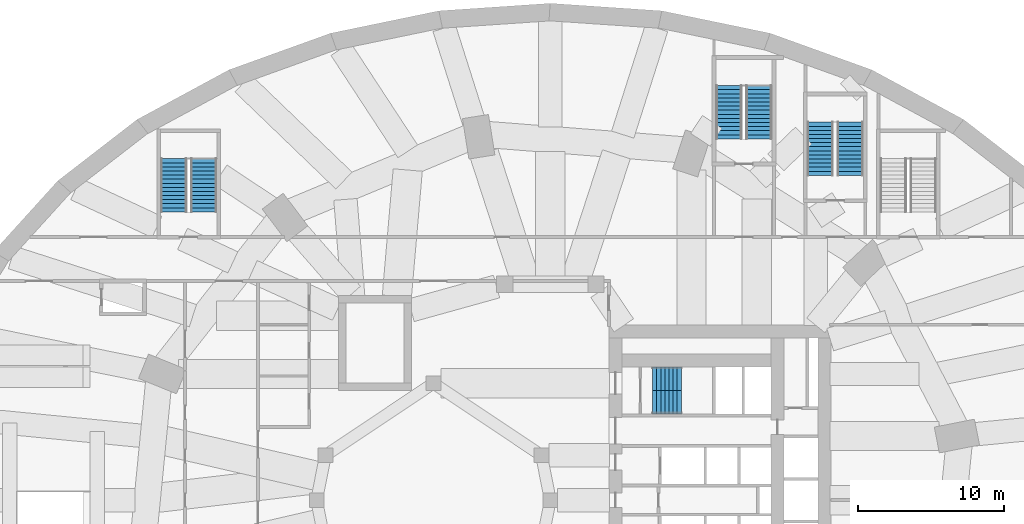
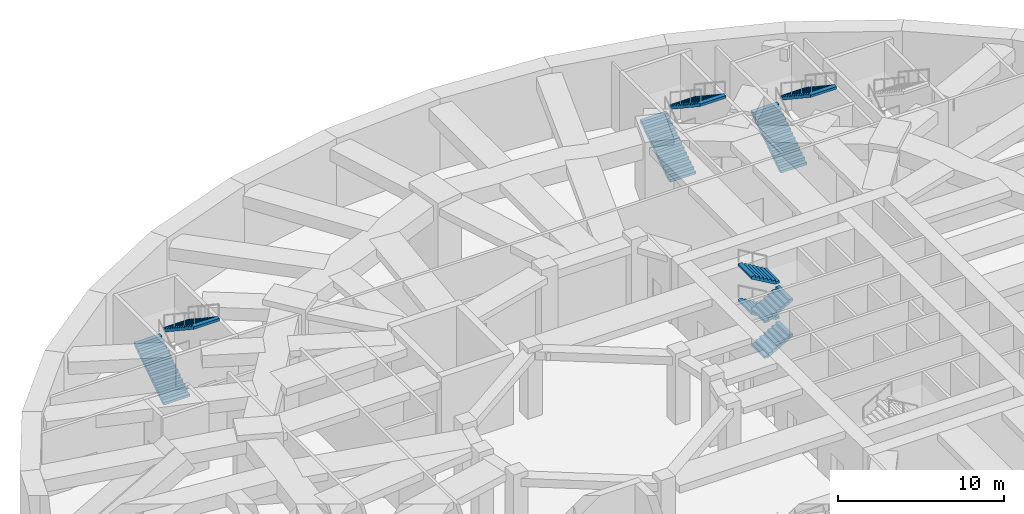
# One storey, part 10 of 14: 10 stair flights, 4 elements without a shape of their own.
"""IFC4 building model written with IfcOpenShell, lengths in metres."""

import ifcopenshell
import ifcopenshell.guid

model = None  # the IFC model being written
_history = None  # IfcOwnerHistory: only IFC2X3 demands one
_inside = {}  # id of a spatial element -> (the spatial element, [elements in it])
_under = {}  # id of a project, library or spatial element -> (it, [spatial elements below it])
_declared = {}  # id of a project -> (the project, [libraries it declares])
_typed = {}  # id of a type object -> (the type object, [elements of that type])
_made_of = {}  # id of a material, layer set ... -> (it, [elements and type objects made of it])


def new_model(schema):
    """Start an empty IFC model of exactly this schema.

    Asked for "IFC4X3", IfcOpenShell would pick the latest addendum, in which some entities
    have other attributes; the version numbers below select the first issue.
    IFC2X3 requires an IfcOwnerHistory on every rooted entity: one is made here for all.
    """
    global model, _history
    if schema == "IFC4X3":
        model = ifcopenshell.file(schema_version=(4, 3, 0, 0))
    else:
        model = ifcopenshell.file(schema=schema)
    _inside.clear()
    _under.clear()
    _declared.clear()
    _typed.clear()
    _made_of.clear()
    _history = None
    if model.schema == "IFC2X3":
        org = make("IfcOrganization", Name="unknown")
        user = make(
            "IfcPersonAndOrganization",
            ThePerson=make("IfcPerson", FamilyName="unknown"),
            TheOrganization=org,
        )
        app = make(
            "IfcApplication",
            ApplicationDeveloper=org,
            Version="unknown",
            ApplicationFullName="unknown",
            ApplicationIdentifier="unknown",
        )
        _history = make(
            "IfcOwnerHistory",
            OwningUser=user,
            OwningApplication=app,
            ChangeAction="ADDED",
            CreationDate=0,
        )
    return model


def make(cls, **values):
    """One entity of the class cls with the attributes given. An attribute that is None is left unset."""
    return model.create_entity(
        cls, **{name: value for name, value in values.items() if value is not None}
    )


def rooted(cls, **values):
    """An entity with a GlobalId (a new one), such as an element, a storey or a relation."""
    return make(cls, GlobalId=ifcopenshell.guid.new(), OwnerHistory=_history, **values)


def si_unit(unit_type, name, prefix=None):
    """IfcSIUnit, for example si_unit("LENGTHUNIT", "METRE", prefix="MILLI")."""
    return make("IfcSIUnit", UnitType=unit_type, Prefix=prefix, Name=name)


def assignment(units):
    """IfcUnitAssignment: the units of a project."""
    return None if units is None else make("IfcUnitAssignment", Units=units)


def point(xyz):
    """IfcCartesianPoint."""
    return None if xyz is None else make("IfcCartesianPoint", Coordinates=xyz)


def direction(xyz):
    """IfcDirection."""
    return None if xyz is None else make("IfcDirection", DirectionRatios=xyz)


def frame(location, z_axis=None, x_axis=None):
    """IfcAxis2Placement3D, a coordinate frame: its origin and axes. An axis left out is left unset."""
    return make(
        "IfcAxis2Placement3D",
        Location=point(location),
        Axis=direction(z_axis),
        RefDirection=direction(x_axis),
    )


def origin():
    """The frame at (0, 0, 0) with its axes left unset."""
    return frame((0.0, 0.0, 0.0))


def place(relative_to, where):
    """IfcLocalPlacement: puts the frame where relative to a parent placement (None: the world)."""
    return make(
        "IfcLocalPlacement", PlacementRelTo=relative_to, RelativePlacement=where
    )


def context(
    kind, dimensions, precision=None, world=None, true_north=None, identifier=None
):
    """IfcGeometricRepresentationContext, for example the 3D "Model" context."""
    return make(
        "IfcGeometricRepresentationContext",
        ContextIdentifier=identifier,
        ContextType=kind,
        CoordinateSpaceDimension=dimensions,
        Precision=precision,
        WorldCoordinateSystem=world,
        TrueNorth=true_north,
    )


def subcontext(parent, identifier, kind, view, scale=None):
    """IfcGeometricRepresentationSubContext, for example "Body" below "Model"."""
    return make(
        "IfcGeometricRepresentationSubContext",
        ContextIdentifier=identifier,
        ContextType=kind,
        ParentContext=parent,
        TargetScale=scale,
        TargetView=view,
    )


def project(units=None, contexts=None):
    """IfcProject with its units and contexts."""
    return rooted(
        "IfcProject",
        Name="project",
        RepresentationContexts=contexts,
        UnitsInContext=assignment(units),
    )


def spatial(cls, under=None, at=None, **own):
    """A site, building, storey or space (cls), placed at a placement, below another one or the project."""
    s = rooted(cls, ObjectPlacement=at, **own)
    if under is not None:
        _under.setdefault(under.id(), (under, []))[1].append(s)
    return s


def polyline(points):
    """IfcPolyline through the points."""
    return make("IfcPolyline", Points=[point(p) for p in points])


def outline(outer, holes=None, kind="AREA"):
    """IfcArbitraryClosedProfileDef: a profile drawn as a closed curve; with holes, ...WithVoids."""
    if holes is None:
        return make("IfcArbitraryClosedProfileDef", ProfileType=kind, OuterCurve=outer)
    return make(
        "IfcArbitraryProfileDefWithVoids",
        ProfileType=kind,
        OuterCurve=outer,
        InnerCurves=holes,
    )


def extrude(swept, where, along, depth):
    """IfcExtrudedAreaSolid: the profile swept, set in the frame where, extruded along a direction by depth."""
    return make(
        "IfcExtrudedAreaSolid",
        SweptArea=swept,
        Position=where,
        ExtrudedDirection=direction(along),
        Depth=depth,
    )


def shape(context_of_items, identifier, shape_type, items):
    """IfcShapeRepresentation: the items that make up one representation, for example the "Body"."""
    return make(
        "IfcShapeRepresentation",
        ContextOfItems=context_of_items,
        RepresentationIdentifier=identifier,
        RepresentationType=shape_type,
        Items=items,
    )


def material(Name=None, Category=None):
    """IfcMaterial."""
    return make("IfcMaterial", Name=Name, Category=Category)


def made_of(thing, what):
    """Note that an element or type object is made of a material, layer set ...; save() writes the relation."""
    if what is not None:
        _made_of.setdefault(what.id(), (what, []))[1].append(thing)
    return thing


def type_object(cls, material=None, **own):
    """A type object (cls), such as IfcWallType, which elements share."""
    return made_of(rooted(cls, **own), material)


def element(
    cls,
    number,
    at=None,
    inside=None,
    cuts=None,
    type_object=None,
    material=None,
    context=None,
    identifier="Body",
    shape_type=None,
    held_by="IfcProductDefinitionShape",
    body=None,
    shapes=None,
    **own,
):
    """One element of the class cls, such as IfcWall. Its Tag is "e" and its number.

    at: its placement. inside: the storey or other place that contains it. cuts: it is an
    opening in that element (IfcRelVoidsElement). A single representation is given by context,
    identifier, shape_type and body (its items); several are given by shapes. held_by: the class
    of the entity that holds the representations. save() writes the other relations.
    """
    e = rooted(cls, Tag="e%d" % number, ObjectPlacement=at, **own)
    if body is not None:
        shapes = [shape(context, identifier, shape_type, body)]
    if shapes is not None:
        e.Representation = make(held_by, Representations=shapes)
    if inside is not None:
        _inside.setdefault(inside.id(), (inside, []))[1].append(e)
    if cuts is not None:
        rooted(
            "IfcRelVoidsElement", RelatingBuildingElement=cuts, RelatedOpeningElement=e
        )
    if type_object is not None:
        _typed.setdefault(type_object.id(), (type_object, []))[1].append(e)
    return made_of(e, material)


def aggregate(whole, parts):
    """IfcRelAggregates: a whole, such as a stair, and the parts it consists of."""
    return rooted("IfcRelAggregates", RelatingObject=whole, RelatedObjects=parts)


def save(model, path):
    """Write the relations noted so far, then the file.

    IfcRelAggregates (storeys below a building ...), IfcRelContainedInSpatialStructure (elements
    in a storey), IfcRelDefinesByType, IfcRelAssociatesMaterial and IfcRelDeclares: one each for
    every whole, place, type object, material and project.
    """
    for whole, parts in _under.values():
        aggregate(whole, parts)
    for where, things in _inside.values():
        rooted(
            "IfcRelContainedInSpatialStructure",
            RelatedElements=things,
            RelatingStructure=where,
        )
    for kind, things in _typed.values():
        rooted("IfcRelDefinesByType", RelatedObjects=things, RelatingType=kind)
    for what, things in _made_of.values():
        rooted("IfcRelAssociatesMaterial", RelatedObjects=things, RelatingMaterial=what)
    for by, libraries in _declared.values():
        rooted("IfcRelDeclares", RelatingContext=by, RelatedDefinitions=libraries)
    model.write(path)


model = new_model("IFC4")

# Units and contexts
model_context = context("Model", 3, precision=1e-05, world=origin(), true_north=direction((0.0, 1.0)))
body_context = subcontext(model_context, "Body", "Model", "MODEL_VIEW")
ifc_project = project(units=[si_unit("LENGTHUNIT", "METRE"), si_unit("AREAUNIT", "SQUARE_METRE"), si_unit("VOLUMEUNIT", "CUBIC_METRE"), si_unit("PLANEANGLEUNIT", "RADIAN"), si_unit("MASSUNIT", "GRAM", prefix="KILO")], contexts=[model_context])

# Site, building, storey
site_placement = place(None, origin())
site = spatial("IfcSite", under=ifc_project, at=site_placement, CompositionType="ELEMENT")
building_placement = place(site_placement, origin())
building = spatial("IfcBuilding", under=site, at=building_placement, Name="Taillehof Tower", CompositionType="ELEMENT")
storey_placement = place(building_placement, frame((0.0, 0.0, -5.199951171875)))
storey = spatial("IfcBuildingStorey", under=building, at=storey_placement, Name="B1", CompositionType="ELEMENT", Elevation=-5.199951171875)

# Stair, stair flights
ifc_material_1 = material(Name="Concrete C40/50", Category="concrete")
stair_type_1 = type_object("IfcStairType", Name="Exit stair half-turn", PredefinedType="HALF_TURN_STAIR", material=ifc_material_1)
stair_1_placement = place(storey_placement, origin())
stair_1 = element("IfcStair", 1, at=stair_1_placement, inside=storey, type_object=stair_type_1, Name="Exit stair S1", PredefinedType="HALF_TURN_STAIR")
ifc_material_2 = material(Name="Concrete C40/50", Category="concrete")
stair_flight_type_1 = type_object("IfcStairFlightType", Name="Stair flight 1600 riser 162.5 going 280", PredefinedType="STRAIGHT", material=ifc_material_2)
stair_flight_1_placement = place(storey_placement, frame((7.0, 6.699951171875, 0.0), z_axis=(0.0, 0.0, 1.0), x_axis=(1.0, 0.0, 0.0)))
stair_flight_1 = element("IfcStairFlight", 2, at=stair_flight_1_placement, type_object=stair_flight_type_1, Name="S1 flight 1", NumberOfRisers=8, NumberOfTreads=7, PredefinedType="STRAIGHT", RiserHeight=0.1625, TreadLength=0.28, context=body_context, shape_type="SweptSolid", body=[
    extrude(outline(polyline([(0.0, 0.0), (0.0, 0.006591796875), (0.0, 0.012939453125), (0.0, 0.01953125), (0.0, 0.02587890625), (0.0, 0.032470703125), (0.0, 0.0390625), (0.0, 0.04541015625), (0.0, 0.052001953125), (0.0, 0.05859375), (0.0, 0.06494140625), (0.0, 0.071533203125), (0.0, 0.077880859375), (0.0, 0.08447265625), (0.0, 0.091064453125), (0.0, 0.097412109375), (0.0, 0.10400390625), (0.0, 0.110595703125), (0.0, 0.116943359375), (0.0, 0.12353515625), (0.0, 0.1298828125), (0.0, 0.136474609375), (0.0, 0.14306640625), (0.0, 0.1494140625), (0.0, 0.156005859375), (0.0, 0.16259765625), (0.280029296875, 0.16259765625), (0.280029296875, 0.324951171875), (0.56005859375, 0.324951171875), (0.56005859375, 0.487548828125), (0.840087890625, 0.487548828125), (0.840087890625, 0.64990234375), (1.1201171875, 0.64990234375), (1.1201171875, 0.8125), (1.39990234375, 0.8125), (1.39990234375, 0.97509765625), (1.679931640625, 0.97509765625), (1.679931640625, 1.137451171875), (1.9599609375, 1.137451171875), (1.9599609375, 1.130615234375), (1.9599609375, 1.12353515625), (1.9599609375, 1.11669921875), (1.9599609375, 1.10986328125), (1.9599609375, 1.102783203125), (1.9599609375, 1.095947265625), (1.9599609375, 1.0888671875), (1.9599609375, 1.08203125), (1.9599609375, 1.0751953125), (1.9599609375, 1.068115234375), (1.9599609375, 1.061279296875), (1.9599609375, 1.05419921875), (1.9599609375, 1.04736328125), (1.9599609375, 1.04052734375), (1.9599609375, 1.033447265625), (1.9599609375, 1.026611328125), (1.9599609375, 1.01953125), (1.9599609375, 1.0126953125), (1.9599609375, 1.005859375), (1.9599609375, 0.998779296875), (1.9599609375, 0.991943359375), (1.9599609375, 0.98486328125), (1.9599609375, 0.97802734375), (1.9599609375, 0.97119140625), (1.9599609375, 0.964111328125), (0.298583984375, 0.0), (0.0, 0.0)])), frame((0.0, 0.800048828125, 0.0), z_axis=(0.0, -1.0, 0.0), x_axis=(1.0, 0.0, 0.0)), (0.0, 0.0, 1.0), 1.6),
])
stair_flight_2_placement = place(storey_placement, frame((8.9599609375, 8.300048828125, 1.300048828125), z_axis=(0.0, 0.0, 1.0), x_axis=(-1.0, 0.0, 0.0)))
stair_flight_2 = element("IfcStairFlight", 3, at=stair_flight_2_placement, type_object=stair_flight_type_1, Name="S1 flight 2", NumberOfRisers=8, NumberOfTreads=7, PredefinedType="STRAIGHT", RiserHeight=0.1625, TreadLength=0.28, context=body_context, shape_type="SweptSolid", body=[
    extrude(outline(polyline([(0.0, 0.0), (0.0, 0.006591796875), (0.0, 0.012939453125), (0.0, 0.01953125), (0.0, 0.02587890625), (0.0, 0.032470703125), (0.0, 0.0390625), (0.0, 0.04541015625), (0.0, 0.052001953125), (0.0, 0.05859375), (0.0, 0.06494140625), (0.0, 0.071533203125), (0.0, 0.077880859375), (0.0, 0.08447265625), (0.0, 0.091064453125), (0.0, 0.097412109375), (0.0, 0.10400390625), (0.0, 0.110595703125), (0.0, 0.116943359375), (0.0, 0.12353515625), (0.0, 0.1298828125), (0.0, 0.136474609375), (0.0, 0.14306640625), (0.0, 0.1494140625), (0.0, 0.156005859375), (0.0, 0.16259765625), (0.280029296875, 0.16259765625), (0.280029296875, 0.324951171875), (0.56005859375, 0.324951171875), (0.56005859375, 0.487548828125), (0.840087890625, 0.487548828125), (0.840087890625, 0.64990234375), (1.1201171875, 0.64990234375), (1.1201171875, 0.8125), (1.39990234375, 0.8125), (1.39990234375, 0.97509765625), (1.679931640625, 0.97509765625), (1.679931640625, 1.137451171875), (1.9599609375, 1.137451171875), (1.9599609375, 1.130615234375), (1.9599609375, 1.12353515625), (1.9599609375, 1.11669921875), (1.9599609375, 1.10986328125), (1.9599609375, 1.102783203125), (1.9599609375, 1.095947265625), (1.9599609375, 1.0888671875), (1.9599609375, 1.08203125), (1.9599609375, 1.0751953125), (1.9599609375, 1.068115234375), (1.9599609375, 1.061279296875), (1.9599609375, 1.05419921875), (1.9599609375, 1.04736328125), (1.9599609375, 1.04052734375), (1.9599609375, 1.033447265625), (1.9599609375, 1.026611328125), (1.9599609375, 1.01953125), (1.9599609375, 1.0126953125), (1.9599609375, 1.005859375), (1.9599609375, 0.998779296875), (1.9599609375, 0.991943359375), (1.9599609375, 0.98486328125), (1.9599609375, 0.97802734375), (1.9599609375, 0.97119140625), (1.9599609375, 0.964111328125), (0.298583984375, 0.0), (0.0, 0.0)])), frame((0.0, 0.800048828125, 0.0), z_axis=(0.0, -1.0, 0.0), x_axis=(1.0, 0.0, 0.0)), (0.0, 0.0, 1.0), 1.6),
])
stair_flight_3_placement = place(storey_placement, frame((7.0, 6.699951171875, 2.599853515625), z_axis=(0.0, 0.0, 1.0), x_axis=(1.0, 0.0, 0.0)))
stair_flight_3 = element("IfcStairFlight", 4, at=stair_flight_3_placement, type_object=stair_flight_type_1, Name="S1 flight 3", NumberOfRisers=8, NumberOfTreads=7, PredefinedType="STRAIGHT", RiserHeight=0.1625, TreadLength=0.28, context=body_context, shape_type="SweptSolid", body=[
    extrude(outline(polyline([(0.0, 0.0), (0.0, 0.006591796875), (0.0, 0.012939453125), (0.0, 0.01953125), (0.0, 0.02587890625), (0.0, 0.032470703125), (0.0, 0.0390625), (0.0, 0.04541015625), (0.0, 0.052001953125), (0.0, 0.05859375), (0.0, 0.06494140625), (0.0, 0.071533203125), (0.0, 0.077880859375), (0.0, 0.08447265625), (0.0, 0.091064453125), (0.0, 0.097412109375), (0.0, 0.10400390625), (0.0, 0.110595703125), (0.0, 0.116943359375), (0.0, 0.12353515625), (0.0, 0.1298828125), (0.0, 0.136474609375), (0.0, 0.14306640625), (0.0, 0.1494140625), (0.0, 0.156005859375), (0.0, 0.16259765625), (0.280029296875, 0.16259765625), (0.280029296875, 0.324951171875), (0.56005859375, 0.324951171875), (0.56005859375, 0.487548828125), (0.840087890625, 0.487548828125), (0.840087890625, 0.64990234375), (1.1201171875, 0.64990234375), (1.1201171875, 0.8125), (1.39990234375, 0.8125), (1.39990234375, 0.97509765625), (1.679931640625, 0.97509765625), (1.679931640625, 1.137451171875), (1.9599609375, 1.137451171875), (1.9599609375, 1.130615234375), (1.9599609375, 1.12353515625), (1.9599609375, 1.11669921875), (1.9599609375, 1.10986328125), (1.9599609375, 1.102783203125), (1.9599609375, 1.095947265625), (1.9599609375, 1.0888671875), (1.9599609375, 1.08203125), (1.9599609375, 1.0751953125), (1.9599609375, 1.068115234375), (1.9599609375, 1.061279296875), (1.9599609375, 1.05419921875), (1.9599609375, 1.04736328125), (1.9599609375, 1.04052734375), (1.9599609375, 1.033447265625), (1.9599609375, 1.026611328125), (1.9599609375, 1.01953125), (1.9599609375, 1.0126953125), (1.9599609375, 1.005859375), (1.9599609375, 0.998779296875), (1.9599609375, 0.991943359375), (1.9599609375, 0.98486328125), (1.9599609375, 0.97802734375), (1.9599609375, 0.97119140625), (1.9599609375, 0.964111328125), (0.298583984375, 0.0), (0.0, 0.0)])), frame((0.0, 0.800048828125, 0.0), z_axis=(0.0, -1.0, 0.0), x_axis=(1.0, 0.0, 0.0)), (0.0, 0.0, 1.0), 1.6),
])
stair_flight_4_placement = place(storey_placement, frame((8.9599609375, 8.300048828125, 3.89990234375), z_axis=(0.0, 0.0, 1.0), x_axis=(-1.0, 0.0, 0.0)))
stair_flight_4 = element("IfcStairFlight", 5, at=stair_flight_4_placement, type_object=stair_flight_type_1, Name="S1 flight 4", NumberOfRisers=8, NumberOfTreads=7, PredefinedType="STRAIGHT", RiserHeight=0.1625, TreadLength=0.28, context=body_context, shape_type="SweptSolid", body=[
    extrude(outline(polyline([(0.0, 0.0), (0.0, 0.006591796875), (0.0, 0.012939453125), (0.0, 0.01953125), (0.0, 0.02587890625), (0.0, 0.032470703125), (0.0, 0.0390625), (0.0, 0.04541015625), (0.0, 0.052001953125), (0.0, 0.05859375), (0.0, 0.06494140625), (0.0, 0.071533203125), (0.0, 0.077880859375), (0.0, 0.08447265625), (0.0, 0.091064453125), (0.0, 0.097412109375), (0.0, 0.10400390625), (0.0, 0.110595703125), (0.0, 0.116943359375), (0.0, 0.12353515625), (0.0, 0.1298828125), (0.0, 0.136474609375), (0.0, 0.14306640625), (0.0, 0.1494140625), (0.0, 0.156005859375), (0.0, 0.16259765625), (0.280029296875, 0.16259765625), (0.280029296875, 0.324951171875), (0.56005859375, 0.324951171875), (0.56005859375, 0.487548828125), (0.840087890625, 0.487548828125), (0.840087890625, 0.64990234375), (1.1201171875, 0.64990234375), (1.1201171875, 0.8125), (1.39990234375, 0.8125), (1.39990234375, 0.97509765625), (1.679931640625, 0.97509765625), (1.679931640625, 1.137451171875), (1.9599609375, 1.137451171875), (1.9599609375, 1.130615234375), (1.9599609375, 1.12353515625), (1.9599609375, 1.11669921875), (1.9599609375, 1.10986328125), (1.9599609375, 1.102783203125), (1.9599609375, 1.095947265625), (1.9599609375, 1.0888671875), (1.9599609375, 1.08203125), (1.9599609375, 1.0751953125), (1.9599609375, 1.068115234375), (1.9599609375, 1.061279296875), (1.9599609375, 1.05419921875), (1.9599609375, 1.04736328125), (1.9599609375, 1.04052734375), (1.9599609375, 1.033447265625), (1.9599609375, 1.026611328125), (1.9599609375, 1.01953125), (1.9599609375, 1.0126953125), (1.9599609375, 1.005859375), (1.9599609375, 0.998779296875), (1.9599609375, 0.991943359375), (1.9599609375, 0.98486328125), (1.9599609375, 0.97802734375), (1.9599609375, 0.97119140625), (1.9599609375, 0.964111328125), (0.298583984375, 0.0), (0.0, 0.0)])), frame((0.0, 0.800048828125, 0.0), z_axis=(0.0, -1.0, 0.0), x_axis=(1.0, 0.0, 0.0)), (0.0, 0.0, 1.0), 1.6),
])
aggregate(stair_1, [stair_flight_1, stair_flight_2, stair_flight_3, stair_flight_4])

ifc_material_3 = material(Name="Concrete C30/37", Category="concrete")
stair_type_2 = type_object("IfcStairType", Name="Escape stair 1800 mm", PredefinedType="HALF_TURN_STAIR", material=ifc_material_3)
stair_2_placement = place(storey_placement, origin())
stair_2 = element("IfcStair", 6, at=stair_2_placement, inside=storey, type_object=stair_type_2, Name="Escape stair ES1", PredefinedType="HALF_TURN_STAIR")
ifc_material_4 = material(Name="Concrete C30/37", Category="concrete")
stair_flight_type_2 = type_object("IfcStairFlightType", Name="Stair flight 1800 mm", PredefinedType="STRAIGHT", material=ifc_material_4)
stair_flight_5_placement = place(storey_placement, frame((-25.77490234375, 19.72509765625, 0.0), z_axis=(0.0, 0.0, 1.0), x_axis=(0.0, 1.0, 0.0)))
stair_flight_5 = element("IfcStairFlight", 7, at=stair_flight_5_placement, type_object=stair_flight_type_2, Name="ES1 flight 1", NumberOfRisers=14, NumberOfTreads=13, PredefinedType="STRAIGHT", RiserHeight=0.185714286, TreadLength=0.28, context=body_context, shape_type="SweptSolid", body=[
    extrude(outline(polyline([(0.0, 0.0), (0.0, 0.00439453125), (0.0, 0.008544921875), (0.0, 0.012939453125), (0.0, 0.017333984375), (0.0, 0.021484375), (0.0, 0.02587890625), (0.0, 0.0302734375), (0.0, 0.03466796875), (0.0, 0.038818359375), (0.0, 0.043212890625), (0.0, 0.047607421875), (0.0, 0.0517578125), (0.0, 0.05615234375), (0.0, 0.060546875), (0.0, 0.064697265625), (0.0, 0.069091796875), (0.0, 0.073486328125), (0.0, 0.07763671875), (0.0, 0.08203125), (0.0, 0.08642578125), (0.0, 0.090576171875), (0.0, 0.094970703125), (0.0, 0.099365234375), (0.0, 0.103759765625), (0.0, 0.10791015625), (0.0, 0.1123046875), (0.0, 0.11669921875), (0.0, 0.120849609375), (0.0, 0.125244140625), (0.0, 0.129638671875), (0.0, 0.1337890625), (0.0, 0.13818359375), (0.0, 0.142578125), (0.0, 0.146728515625), (0.0, 0.151123046875), (0.0, 0.155517578125), (0.0, 0.159912109375), (0.0, 0.1640625), (0.0, 0.16845703125), (0.0, 0.1728515625), (0.0, 0.177001953125), (0.0, 0.181396484375), (0.0, 0.185791015625), (0.280029296875, 0.185791015625), (0.280029296875, 0.371337890625), (0.56005859375, 0.371337890625), (0.56005859375, 0.55712890625), (0.840087890625, 0.55712890625), (0.840087890625, 0.742919921875), (1.1201171875, 0.742919921875), (1.1201171875, 0.928466796875), (1.39990234375, 0.928466796875), (1.39990234375, 1.1142578125), (1.679931640625, 1.1142578125), (1.679931640625, 1.300048828125), (1.9599609375, 1.300048828125), (1.9599609375, 1.485595703125), (2.239990234375, 1.485595703125), (2.239990234375, 1.67138671875), (2.52001953125, 1.67138671875), (2.52001953125, 1.857177734375), (2.800048828125, 1.857177734375), (2.800048828125, 2.04296875), (3.080078125, 2.04296875), (3.080078125, 2.228515625), (3.360107421875, 2.228515625), (3.360107421875, 2.414306640625), (3.639892578125, 2.414306640625), (3.639892578125, 2.41015625), (3.639892578125, 2.406005859375), (3.639892578125, 2.40185546875), (3.639892578125, 2.3974609375), (3.639892578125, 2.393310546875), (3.639892578125, 2.38916015625), (3.639892578125, 2.385009765625), (3.639892578125, 2.380859375), (3.639892578125, 2.376708984375), (3.639892578125, 2.37255859375), (3.639892578125, 2.3681640625), (3.639892578125, 2.364013671875), (3.639892578125, 2.35986328125), (3.639892578125, 2.355712890625), (3.639892578125, 2.3515625), (3.639892578125, 2.347412109375), (3.639892578125, 2.34326171875), (3.639892578125, 2.3388671875), (3.639892578125, 2.334716796875), (3.639892578125, 2.33056640625), (3.639892578125, 2.326416015625), (3.639892578125, 2.322265625), (3.639892578125, 2.318115234375), (3.639892578125, 2.31396484375), (3.639892578125, 2.309814453125), (3.639892578125, 2.305419921875), (3.639892578125, 2.30126953125), (3.639892578125, 2.297119140625), (3.639892578125, 2.29296875), (3.639892578125, 2.288818359375), (3.639892578125, 2.28466796875), (3.639892578125, 2.280517578125), (3.639892578125, 2.276123046875), (3.639892578125, 2.27197265625), (3.639892578125, 2.267822265625), (3.639892578125, 2.263671875), (3.639892578125, 2.259521484375), (3.639892578125, 2.25537109375), (3.639892578125, 2.251220703125), (3.639892578125, 2.2470703125), (3.639892578125, 2.24267578125), (3.639892578125, 2.238525390625), (3.639892578125, 2.234375), (0.271240234375, 0.0), (0.0, 0.0)])), frame((0.0, 0.89990234375, 0.0), z_axis=(0.0, -1.0, 0.0), x_axis=(1.0, 0.0, 0.0)), (0.0, 0.0, 1.0), 1.8),
])
stair_flight_6_placement = place(storey_placement, frame((-23.72509765625, 23.364990234375, 2.599853515625), z_axis=(0.0, 0.0, 1.0), x_axis=(0.0, -1.0, 0.0)))
stair_flight_6 = element("IfcStairFlight", 8, at=stair_flight_6_placement, type_object=stair_flight_type_2, Name="ES1 flight 2", NumberOfRisers=14, NumberOfTreads=13, PredefinedType="STRAIGHT", RiserHeight=0.185714286, TreadLength=0.28, context=body_context, shape_type="SweptSolid", body=[
    extrude(outline(polyline([(0.0, 0.0), (0.0, 0.00439453125), (0.0, 0.008544921875), (0.0, 0.012939453125), (0.0, 0.017333984375), (0.0, 0.021484375), (0.0, 0.02587890625), (0.0, 0.0302734375), (0.0, 0.03466796875), (0.0, 0.038818359375), (0.0, 0.043212890625), (0.0, 0.047607421875), (0.0, 0.0517578125), (0.0, 0.05615234375), (0.0, 0.060546875), (0.0, 0.064697265625), (0.0, 0.069091796875), (0.0, 0.073486328125), (0.0, 0.07763671875), (0.0, 0.08203125), (0.0, 0.08642578125), (0.0, 0.090576171875), (0.0, 0.094970703125), (0.0, 0.099365234375), (0.0, 0.103759765625), (0.0, 0.10791015625), (0.0, 0.1123046875), (0.0, 0.11669921875), (0.0, 0.120849609375), (0.0, 0.125244140625), (0.0, 0.129638671875), (0.0, 0.1337890625), (0.0, 0.13818359375), (0.0, 0.142578125), (0.0, 0.146728515625), (0.0, 0.151123046875), (0.0, 0.155517578125), (0.0, 0.159912109375), (0.0, 0.1640625), (0.0, 0.16845703125), (0.0, 0.1728515625), (0.0, 0.177001953125), (0.0, 0.181396484375), (0.0, 0.185791015625), (0.280029296875, 0.185791015625), (0.280029296875, 0.371337890625), (0.56005859375, 0.371337890625), (0.56005859375, 0.55712890625), (0.840087890625, 0.55712890625), (0.840087890625, 0.742919921875), (1.1201171875, 0.742919921875), (1.1201171875, 0.928466796875), (1.39990234375, 0.928466796875), (1.39990234375, 1.1142578125), (1.679931640625, 1.1142578125), (1.679931640625, 1.300048828125), (1.9599609375, 1.300048828125), (1.9599609375, 1.485595703125), (2.239990234375, 1.485595703125), (2.239990234375, 1.67138671875), (2.52001953125, 1.67138671875), (2.52001953125, 1.857177734375), (2.800048828125, 1.857177734375), (2.800048828125, 2.04296875), (3.080078125, 2.04296875), (3.080078125, 2.228515625), (3.360107421875, 2.228515625), (3.360107421875, 2.414306640625), (3.639892578125, 2.414306640625), (3.639892578125, 2.41015625), (3.639892578125, 2.406005859375), (3.639892578125, 2.40185546875), (3.639892578125, 2.3974609375), (3.639892578125, 2.393310546875), (3.639892578125, 2.38916015625), (3.639892578125, 2.385009765625), (3.639892578125, 2.380859375), (3.639892578125, 2.376708984375), (3.639892578125, 2.37255859375), (3.639892578125, 2.3681640625), (3.639892578125, 2.364013671875), (3.639892578125, 2.35986328125), (3.639892578125, 2.355712890625), (3.639892578125, 2.3515625), (3.639892578125, 2.347412109375), (3.639892578125, 2.34326171875), (3.639892578125, 2.3388671875), (3.639892578125, 2.334716796875), (3.639892578125, 2.33056640625), (3.639892578125, 2.326416015625), (3.639892578125, 2.322265625), (3.639892578125, 2.318115234375), (3.639892578125, 2.31396484375), (3.639892578125, 2.309814453125), (3.639892578125, 2.305419921875), (3.639892578125, 2.30126953125), (3.639892578125, 2.297119140625), (3.639892578125, 2.29296875), (3.639892578125, 2.288818359375), (3.639892578125, 2.28466796875), (3.639892578125, 2.280517578125), (3.639892578125, 2.276123046875), (3.639892578125, 2.27197265625), (3.639892578125, 2.267822265625), (3.639892578125, 2.263671875), (3.639892578125, 2.259521484375), (3.639892578125, 2.25537109375), (3.639892578125, 2.251220703125), (3.639892578125, 2.2470703125), (3.639892578125, 2.24267578125), (3.639892578125, 2.238525390625), (3.639892578125, 2.234375), (0.271240234375, 0.0), (0.0, 0.0)])), frame((0.0, 0.89990234375, 0.0), z_axis=(0.0, -1.0, 0.0), x_axis=(1.0, 0.0, 0.0)), (0.0, 0.0, 1.0), 1.8),
])
aggregate(stair_2, [stair_flight_5, stair_flight_6])

stair_3_placement = place(storey_placement, origin())
stair_3 = element("IfcStair", 9, at=stair_3_placement, inside=storey, type_object=stair_type_2, Name="Escape stair ES3", PredefinedType="HALF_TURN_STAIR")
stair_flight_7_placement = place(storey_placement, frame((12.22509765625, 24.72509765625, 0.0), z_axis=(0.0, 0.0, 1.0), x_axis=(0.0, 1.0, 0.0)))
stair_flight_7 = element("IfcStairFlight", 10, at=stair_flight_7_placement, type_object=stair_flight_type_2, Name="ES3 flight 1", NumberOfRisers=14, NumberOfTreads=13, PredefinedType="STRAIGHT", RiserHeight=0.185714286, TreadLength=0.28, context=body_context, shape_type="SweptSolid", body=[
    extrude(outline(polyline([(0.0, 0.0), (0.0, 0.00439453125), (0.0, 0.008544921875), (0.0, 0.012939453125), (0.0, 0.017333984375), (0.0, 0.021484375), (0.0, 0.02587890625), (0.0, 0.0302734375), (0.0, 0.03466796875), (0.0, 0.038818359375), (0.0, 0.043212890625), (0.0, 0.047607421875), (0.0, 0.0517578125), (0.0, 0.05615234375), (0.0, 0.060546875), (0.0, 0.064697265625), (0.0, 0.069091796875), (0.0, 0.073486328125), (0.0, 0.07763671875), (0.0, 0.08203125), (0.0, 0.08642578125), (0.0, 0.090576171875), (0.0, 0.094970703125), (0.0, 0.099365234375), (0.0, 0.103759765625), (0.0, 0.10791015625), (0.0, 0.1123046875), (0.0, 0.11669921875), (0.0, 0.120849609375), (0.0, 0.125244140625), (0.0, 0.129638671875), (0.0, 0.1337890625), (0.0, 0.13818359375), (0.0, 0.142578125), (0.0, 0.146728515625), (0.0, 0.151123046875), (0.0, 0.155517578125), (0.0, 0.159912109375), (0.0, 0.1640625), (0.0, 0.16845703125), (0.0, 0.1728515625), (0.0, 0.177001953125), (0.0, 0.181396484375), (0.0, 0.185791015625), (0.280029296875, 0.185791015625), (0.280029296875, 0.371337890625), (0.56005859375, 0.371337890625), (0.56005859375, 0.55712890625), (0.840087890625, 0.55712890625), (0.840087890625, 0.742919921875), (1.1201171875, 0.742919921875), (1.1201171875, 0.928466796875), (1.39990234375, 0.928466796875), (1.39990234375, 1.1142578125), (1.679931640625, 1.1142578125), (1.679931640625, 1.300048828125), (1.9599609375, 1.300048828125), (1.9599609375, 1.485595703125), (2.239990234375, 1.485595703125), (2.239990234375, 1.67138671875), (2.52001953125, 1.67138671875), (2.52001953125, 1.857177734375), (2.800048828125, 1.857177734375), (2.800048828125, 2.04296875), (3.080078125, 2.04296875), (3.080078125, 2.228515625), (3.360107421875, 2.228515625), (3.360107421875, 2.414306640625), (3.639892578125, 2.414306640625), (3.639892578125, 2.41015625), (3.639892578125, 2.406005859375), (3.639892578125, 2.40185546875), (3.639892578125, 2.3974609375), (3.639892578125, 2.393310546875), (3.639892578125, 2.38916015625), (3.639892578125, 2.385009765625), (3.639892578125, 2.380859375), (3.639892578125, 2.376708984375), (3.639892578125, 2.37255859375), (3.639892578125, 2.3681640625), (3.639892578125, 2.364013671875), (3.639892578125, 2.35986328125), (3.639892578125, 2.355712890625), (3.639892578125, 2.3515625), (3.639892578125, 2.347412109375), (3.639892578125, 2.34326171875), (3.639892578125, 2.3388671875), (3.639892578125, 2.334716796875), (3.639892578125, 2.33056640625), (3.639892578125, 2.326416015625), (3.639892578125, 2.322265625), (3.639892578125, 2.318115234375), (3.639892578125, 2.31396484375), (3.639892578125, 2.309814453125), (3.639892578125, 2.305419921875), (3.639892578125, 2.30126953125), (3.639892578125, 2.297119140625), (3.639892578125, 2.29296875), (3.639892578125, 2.288818359375), (3.639892578125, 2.28466796875), (3.639892578125, 2.280517578125), (3.639892578125, 2.276123046875), (3.639892578125, 2.27197265625), (3.639892578125, 2.267822265625), (3.639892578125, 2.263671875), (3.639892578125, 2.259521484375), (3.639892578125, 2.25537109375), (3.639892578125, 2.251220703125), (3.639892578125, 2.2470703125), (3.639892578125, 2.24267578125), (3.639892578125, 2.238525390625), (3.639892578125, 2.234375), (0.271240234375, 0.0), (0.0, 0.0)])), frame((0.0, 0.89990234375, 0.0), z_axis=(0.0, -1.0, 0.0), x_axis=(1.0, 0.0, 0.0)), (0.0, 0.0, 1.0), 1.8),
])
stair_flight_8_placement = place(storey_placement, frame((14.27490234375, 28.364990234375, 2.599853515625), z_axis=(0.0, 0.0, 1.0), x_axis=(0.0, -1.0, 0.0)))
stair_flight_8 = element("IfcStairFlight", 11, at=stair_flight_8_placement, type_object=stair_flight_type_2, Name="ES3 flight 2", NumberOfRisers=14, NumberOfTreads=13, PredefinedType="STRAIGHT", RiserHeight=0.185714286, TreadLength=0.28, context=body_context, shape_type="SweptSolid", body=[
    extrude(outline(polyline([(0.0, 0.0), (0.0, 0.00439453125), (0.0, 0.008544921875), (0.0, 0.012939453125), (0.0, 0.017333984375), (0.0, 0.021484375), (0.0, 0.02587890625), (0.0, 0.0302734375), (0.0, 0.03466796875), (0.0, 0.038818359375), (0.0, 0.043212890625), (0.0, 0.047607421875), (0.0, 0.0517578125), (0.0, 0.05615234375), (0.0, 0.060546875), (0.0, 0.064697265625), (0.0, 0.069091796875), (0.0, 0.073486328125), (0.0, 0.07763671875), (0.0, 0.08203125), (0.0, 0.08642578125), (0.0, 0.090576171875), (0.0, 0.094970703125), (0.0, 0.099365234375), (0.0, 0.103759765625), (0.0, 0.10791015625), (0.0, 0.1123046875), (0.0, 0.11669921875), (0.0, 0.120849609375), (0.0, 0.125244140625), (0.0, 0.129638671875), (0.0, 0.1337890625), (0.0, 0.13818359375), (0.0, 0.142578125), (0.0, 0.146728515625), (0.0, 0.151123046875), (0.0, 0.155517578125), (0.0, 0.159912109375), (0.0, 0.1640625), (0.0, 0.16845703125), (0.0, 0.1728515625), (0.0, 0.177001953125), (0.0, 0.181396484375), (0.0, 0.185791015625), (0.280029296875, 0.185791015625), (0.280029296875, 0.371337890625), (0.56005859375, 0.371337890625), (0.56005859375, 0.55712890625), (0.840087890625, 0.55712890625), (0.840087890625, 0.742919921875), (1.1201171875, 0.742919921875), (1.1201171875, 0.928466796875), (1.39990234375, 0.928466796875), (1.39990234375, 1.1142578125), (1.679931640625, 1.1142578125), (1.679931640625, 1.300048828125), (1.9599609375, 1.300048828125), (1.9599609375, 1.485595703125), (2.239990234375, 1.485595703125), (2.239990234375, 1.67138671875), (2.52001953125, 1.67138671875), (2.52001953125, 1.857177734375), (2.800048828125, 1.857177734375), (2.800048828125, 2.04296875), (3.080078125, 2.04296875), (3.080078125, 2.228515625), (3.360107421875, 2.228515625), (3.360107421875, 2.414306640625), (3.639892578125, 2.414306640625), (3.639892578125, 2.41015625), (3.639892578125, 2.406005859375), (3.639892578125, 2.40185546875), (3.639892578125, 2.3974609375), (3.639892578125, 2.393310546875), (3.639892578125, 2.38916015625), (3.639892578125, 2.385009765625), (3.639892578125, 2.380859375), (3.639892578125, 2.376708984375), (3.639892578125, 2.37255859375), (3.639892578125, 2.3681640625), (3.639892578125, 2.364013671875), (3.639892578125, 2.35986328125), (3.639892578125, 2.355712890625), (3.639892578125, 2.3515625), (3.639892578125, 2.347412109375), (3.639892578125, 2.34326171875), (3.639892578125, 2.3388671875), (3.639892578125, 2.334716796875), (3.639892578125, 2.33056640625), (3.639892578125, 2.326416015625), (3.639892578125, 2.322265625), (3.639892578125, 2.318115234375), (3.639892578125, 2.31396484375), (3.639892578125, 2.309814453125), (3.639892578125, 2.305419921875), (3.639892578125, 2.30126953125), (3.639892578125, 2.297119140625), (3.639892578125, 2.29296875), (3.639892578125, 2.288818359375), (3.639892578125, 2.28466796875), (3.639892578125, 2.280517578125), (3.639892578125, 2.276123046875), (3.639892578125, 2.27197265625), (3.639892578125, 2.267822265625), (3.639892578125, 2.263671875), (3.639892578125, 2.259521484375), (3.639892578125, 2.25537109375), (3.639892578125, 2.251220703125), (3.639892578125, 2.2470703125), (3.639892578125, 2.24267578125), (3.639892578125, 2.238525390625), (3.639892578125, 2.234375), (0.271240234375, 0.0), (0.0, 0.0)])), frame((0.0, 0.89990234375, 0.0), z_axis=(0.0, -1.0, 0.0), x_axis=(1.0, 0.0, 0.0)), (0.0, 0.0, 1.0), 1.8),
])
aggregate(stair_3, [stair_flight_7, stair_flight_8])

stair_4_placement = place(storey_placement, origin())
stair_4 = element("IfcStair", 12, at=stair_4_placement, inside=storey, type_object=stair_type_2, Name="Escape stair ES7", PredefinedType="HALF_TURN_STAIR")
stair_flight_9_placement = place(storey_placement, frame((18.47509765625, 22.22509765625, 0.0), z_axis=(0.0, 0.0, 1.0), x_axis=(0.0, 1.0, 0.0)))
stair_flight_9 = element("IfcStairFlight", 13, at=stair_flight_9_placement, type_object=stair_flight_type_2, Name="ES7 flight 1", NumberOfRisers=14, NumberOfTreads=13, PredefinedType="STRAIGHT", RiserHeight=0.185714286, TreadLength=0.28, context=body_context, shape_type="SweptSolid", body=[
    extrude(outline(polyline([(0.0, 0.0), (0.0, 0.00439453125), (0.0, 0.008544921875), (0.0, 0.012939453125), (0.0, 0.017333984375), (0.0, 0.021484375), (0.0, 0.02587890625), (0.0, 0.0302734375), (0.0, 0.03466796875), (0.0, 0.038818359375), (0.0, 0.043212890625), (0.0, 0.047607421875), (0.0, 0.0517578125), (0.0, 0.05615234375), (0.0, 0.060546875), (0.0, 0.064697265625), (0.0, 0.069091796875), (0.0, 0.073486328125), (0.0, 0.07763671875), (0.0, 0.08203125), (0.0, 0.08642578125), (0.0, 0.090576171875), (0.0, 0.094970703125), (0.0, 0.099365234375), (0.0, 0.103759765625), (0.0, 0.10791015625), (0.0, 0.1123046875), (0.0, 0.11669921875), (0.0, 0.120849609375), (0.0, 0.125244140625), (0.0, 0.129638671875), (0.0, 0.1337890625), (0.0, 0.13818359375), (0.0, 0.142578125), (0.0, 0.146728515625), (0.0, 0.151123046875), (0.0, 0.155517578125), (0.0, 0.159912109375), (0.0, 0.1640625), (0.0, 0.16845703125), (0.0, 0.1728515625), (0.0, 0.177001953125), (0.0, 0.181396484375), (0.0, 0.185791015625), (0.280029296875, 0.185791015625), (0.280029296875, 0.371337890625), (0.56005859375, 0.371337890625), (0.56005859375, 0.55712890625), (0.840087890625, 0.55712890625), (0.840087890625, 0.742919921875), (1.1201171875, 0.742919921875), (1.1201171875, 0.928466796875), (1.39990234375, 0.928466796875), (1.39990234375, 1.1142578125), (1.679931640625, 1.1142578125), (1.679931640625, 1.300048828125), (1.9599609375, 1.300048828125), (1.9599609375, 1.485595703125), (2.239990234375, 1.485595703125), (2.239990234375, 1.67138671875), (2.52001953125, 1.67138671875), (2.52001953125, 1.857177734375), (2.800048828125, 1.857177734375), (2.800048828125, 2.04296875), (3.080078125, 2.04296875), (3.080078125, 2.228515625), (3.360107421875, 2.228515625), (3.360107421875, 2.414306640625), (3.639892578125, 2.414306640625), (3.639892578125, 2.41015625), (3.639892578125, 2.406005859375), (3.639892578125, 2.40185546875), (3.639892578125, 2.3974609375), (3.639892578125, 2.393310546875), (3.639892578125, 2.38916015625), (3.639892578125, 2.385009765625), (3.639892578125, 2.380859375), (3.639892578125, 2.376708984375), (3.639892578125, 2.37255859375), (3.639892578125, 2.3681640625), (3.639892578125, 2.364013671875), (3.639892578125, 2.35986328125), (3.639892578125, 2.355712890625), (3.639892578125, 2.3515625), (3.639892578125, 2.347412109375), (3.639892578125, 2.34326171875), (3.639892578125, 2.3388671875), (3.639892578125, 2.334716796875), (3.639892578125, 2.33056640625), (3.639892578125, 2.326416015625), (3.639892578125, 2.322265625), (3.639892578125, 2.318115234375), (3.639892578125, 2.31396484375), (3.639892578125, 2.309814453125), (3.639892578125, 2.305419921875), (3.639892578125, 2.30126953125), (3.639892578125, 2.297119140625), (3.639892578125, 2.29296875), (3.639892578125, 2.288818359375), (3.639892578125, 2.28466796875), (3.639892578125, 2.280517578125), (3.639892578125, 2.276123046875), (3.639892578125, 2.27197265625), (3.639892578125, 2.267822265625), (3.639892578125, 2.263671875), (3.639892578125, 2.259521484375), (3.639892578125, 2.25537109375), (3.639892578125, 2.251220703125), (3.639892578125, 2.2470703125), (3.639892578125, 2.24267578125), (3.639892578125, 2.238525390625), (3.639892578125, 2.234375), (0.271240234375, 0.0), (0.0, 0.0)])), frame((0.0, 0.89990234375, 0.0), z_axis=(0.0, -1.0, 0.0), x_axis=(1.0, 0.0, 0.0)), (0.0, 0.0, 1.0), 1.8),
])
stair_flight_10_placement = place(storey_placement, frame((20.52490234375, 25.864990234375, 2.599853515625), z_axis=(0.0, 0.0, 1.0), x_axis=(0.0, -1.0, 0.0)))
stair_flight_10 = element("IfcStairFlight", 14, at=stair_flight_10_placement, type_object=stair_flight_type_2, Name="ES7 flight 2", NumberOfRisers=14, NumberOfTreads=13, PredefinedType="STRAIGHT", RiserHeight=0.185714286, TreadLength=0.28, context=body_context, shape_type="SweptSolid", body=[
    extrude(outline(polyline([(0.0, 0.0), (0.0, 0.00439453125), (0.0, 0.008544921875), (0.0, 0.012939453125), (0.0, 0.017333984375), (0.0, 0.021484375), (0.0, 0.02587890625), (0.0, 0.0302734375), (0.0, 0.03466796875), (0.0, 0.038818359375), (0.0, 0.043212890625), (0.0, 0.047607421875), (0.0, 0.0517578125), (0.0, 0.05615234375), (0.0, 0.060546875), (0.0, 0.064697265625), (0.0, 0.069091796875), (0.0, 0.073486328125), (0.0, 0.07763671875), (0.0, 0.08203125), (0.0, 0.08642578125), (0.0, 0.090576171875), (0.0, 0.094970703125), (0.0, 0.099365234375), (0.0, 0.103759765625), (0.0, 0.10791015625), (0.0, 0.1123046875), (0.0, 0.11669921875), (0.0, 0.120849609375), (0.0, 0.125244140625), (0.0, 0.129638671875), (0.0, 0.1337890625), (0.0, 0.13818359375), (0.0, 0.142578125), (0.0, 0.146728515625), (0.0, 0.151123046875), (0.0, 0.155517578125), (0.0, 0.159912109375), (0.0, 0.1640625), (0.0, 0.16845703125), (0.0, 0.1728515625), (0.0, 0.177001953125), (0.0, 0.181396484375), (0.0, 0.185791015625), (0.280029296875, 0.185791015625), (0.280029296875, 0.371337890625), (0.56005859375, 0.371337890625), (0.56005859375, 0.55712890625), (0.840087890625, 0.55712890625), (0.840087890625, 0.742919921875), (1.1201171875, 0.742919921875), (1.1201171875, 0.928466796875), (1.39990234375, 0.928466796875), (1.39990234375, 1.1142578125), (1.679931640625, 1.1142578125), (1.679931640625, 1.300048828125), (1.9599609375, 1.300048828125), (1.9599609375, 1.485595703125), (2.239990234375, 1.485595703125), (2.239990234375, 1.67138671875), (2.52001953125, 1.67138671875), (2.52001953125, 1.857177734375), (2.800048828125, 1.857177734375), (2.800048828125, 2.04296875), (3.080078125, 2.04296875), (3.080078125, 2.228515625), (3.360107421875, 2.228515625), (3.360107421875, 2.414306640625), (3.639892578125, 2.414306640625), (3.639892578125, 2.41015625), (3.639892578125, 2.406005859375), (3.639892578125, 2.40185546875), (3.639892578125, 2.3974609375), (3.639892578125, 2.393310546875), (3.639892578125, 2.38916015625), (3.639892578125, 2.385009765625), (3.639892578125, 2.380859375), (3.639892578125, 2.376708984375), (3.639892578125, 2.37255859375), (3.639892578125, 2.3681640625), (3.639892578125, 2.364013671875), (3.639892578125, 2.35986328125), (3.639892578125, 2.355712890625), (3.639892578125, 2.3515625), (3.639892578125, 2.347412109375), (3.639892578125, 2.34326171875), (3.639892578125, 2.3388671875), (3.639892578125, 2.334716796875), (3.639892578125, 2.33056640625), (3.639892578125, 2.326416015625), (3.639892578125, 2.322265625), (3.639892578125, 2.318115234375), (3.639892578125, 2.31396484375), (3.639892578125, 2.309814453125), (3.639892578125, 2.305419921875), (3.639892578125, 2.30126953125), (3.639892578125, 2.297119140625), (3.639892578125, 2.29296875), (3.639892578125, 2.288818359375), (3.639892578125, 2.28466796875), (3.639892578125, 2.280517578125), (3.639892578125, 2.276123046875), (3.639892578125, 2.27197265625), (3.639892578125, 2.267822265625), (3.639892578125, 2.263671875), (3.639892578125, 2.259521484375), (3.639892578125, 2.25537109375), (3.639892578125, 2.251220703125), (3.639892578125, 2.2470703125), (3.639892578125, 2.24267578125), (3.639892578125, 2.238525390625), (3.639892578125, 2.234375), (0.271240234375, 0.0), (0.0, 0.0)])), frame((0.0, 0.89990234375, 0.0), z_axis=(0.0, -1.0, 0.0), x_axis=(1.0, 0.0, 0.0)), (0.0, 0.0, 1.0), 1.8),
])
aggregate(stair_4, [stair_flight_9, stair_flight_10])

save(model, "model.ifc")
